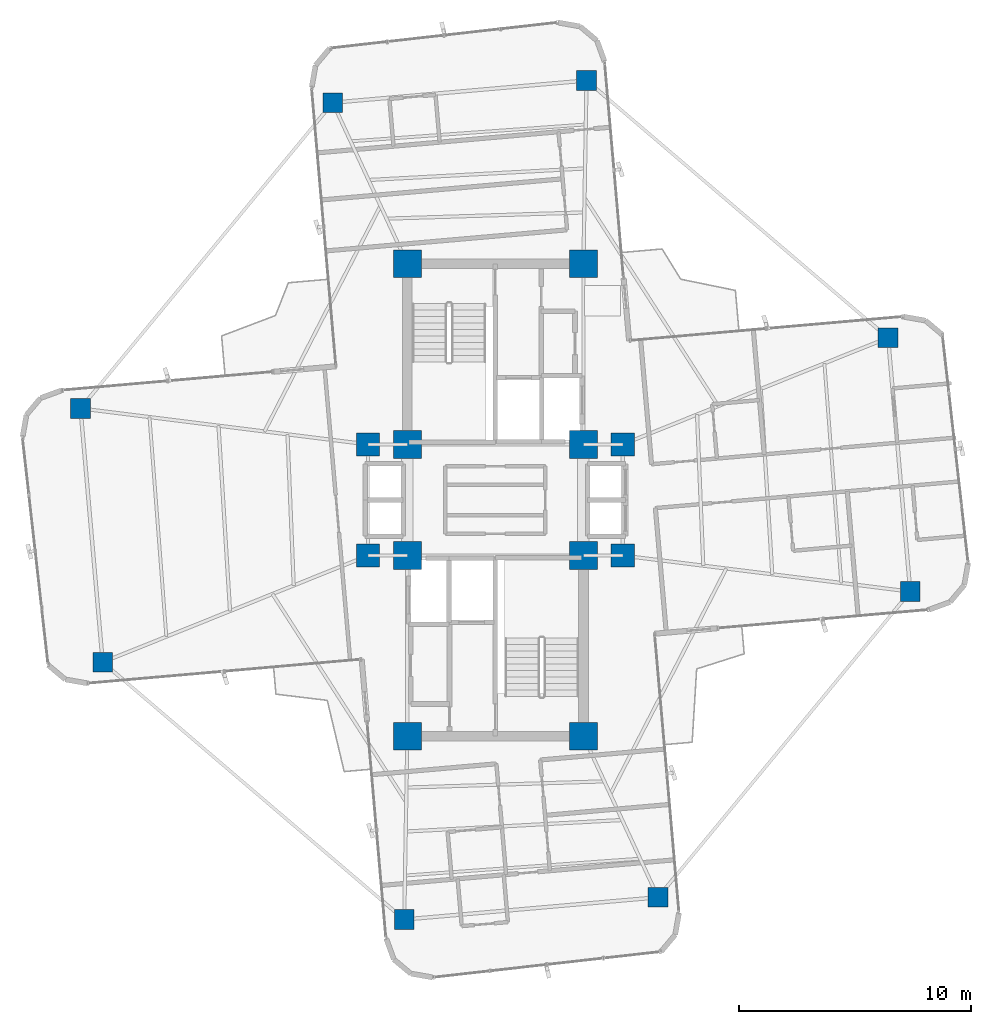
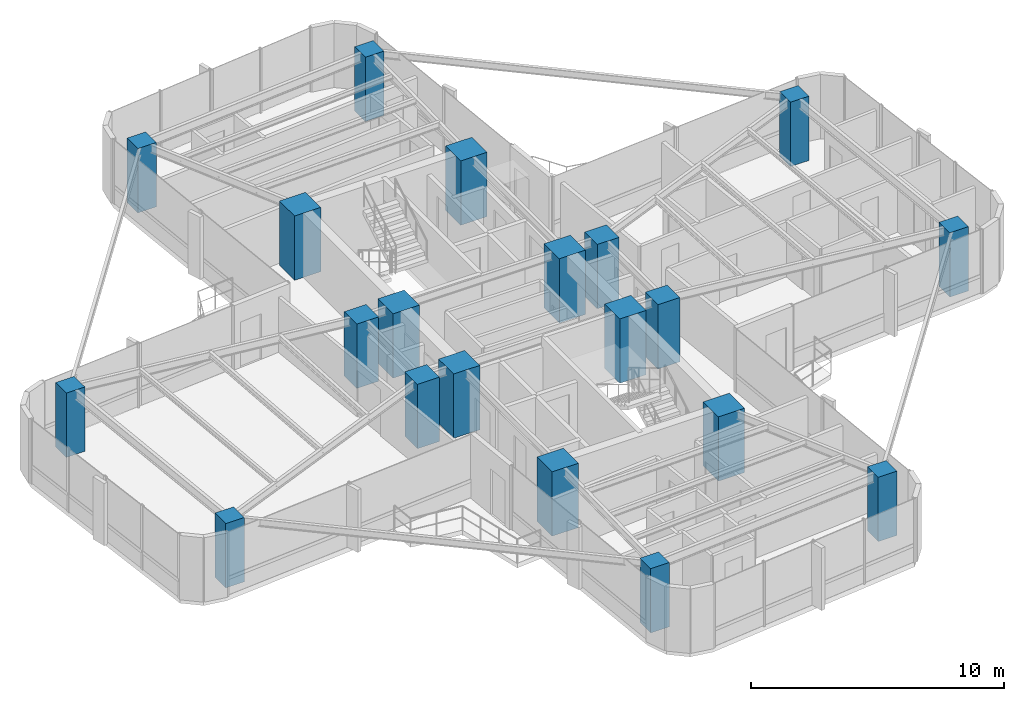
# One storey, part 1 of 24: 20 columns.
"""IFC4 building model written with IfcOpenShell, lengths in metres."""

from ifc_helpers import new_model, si_unit, direction, frame, origin, origin_2d, place, context, subcontext, project, spatial, rectangle, extrude, source, transform, mapped, material, material_profile, profile_set, type_object, element, save


model = new_model("IFC4")

# Units and contexts
model_context = context("Model", 3, precision=1e-05, world=origin(), true_north=direction((0.0, 1.0)))
body_context = subcontext(model_context, "Body", "Model", "MODEL_VIEW")
ifc_project = project(units=[si_unit("LENGTHUNIT", "METRE"), si_unit("AREAUNIT", "SQUARE_METRE"), si_unit("VOLUMEUNIT", "CUBIC_METRE"), si_unit("PLANEANGLEUNIT", "RADIAN"), si_unit("MASSUNIT", "GRAM", prefix="KILO")], contexts=[model_context])

# Site, building, storey
site_placement = place(None, origin())
site = spatial("IfcSite", under=ifc_project, at=site_placement, CompositionType="ELEMENT")
building_placement = place(site_placement, origin())
building = spatial("IfcBuilding", under=site, at=building_placement, Name="Sahyath Konkavel Grand Hotel", CompositionType="ELEMENT")
storey_placement = place(building_placement, frame((0.0, 0.0, 188.60009765625)))
storey = spatial("IfcBuildingStorey", under=building, at=storey_placement, Name="L52", CompositionType="ELEMENT", Elevation=188.60009765625)

# Columns
ifc_material_1 = material(Name="Concrete C50/60", Category="concrete")
ifc_material_profile_1 = material_profile(ifc_material_1, rectangle(XDim=1.199951171875, YDim=1.199951171875, at=origin_2d()), Name="RC 1200x1200")
ifc_profile_set_1 = profile_set([ifc_material_profile_1], Name="Concrete C50/60")
column_type_1 = type_object("IfcColumnType", Name="COL-RC1200", PredefinedType="COLUMN", material=ifc_profile_set_1)
shared_shape_1 = source(origin(), body_context, "Body", "SweptSolid", [
    extrude(rectangle(XDim=1.199951171875, YDim=1.199951171875, at=origin_2d()), origin(), (0.0, 0.0, 1.0), 3.10986328125),
])
for number, where, z_axis, x_axis, name in (
    (1, (-3.800048828125, 2.39990234375, 0.0), (0.0, 0.0, 1.0), (1.0, 0.0, 0.0), "L52 Core Boundary Column NC-SW"),
    (2, (3.800048828125, 2.39990234375, 0.0), (0.0, 0.0, 1.0), (1.0, 0.0, 0.0), "L52 Core Boundary Column NC-SE"),
    (3, (-3.800048828125, 10.199951171875, 0.0), (0.0, 0.0, 1.0), (1.0, 0.0, 0.0), "L52 Core Boundary Column NC-NW"),
    (4, (3.800048828125, 10.199951171875, 0.0), (0.0, 0.0, 1.0), (1.0, 0.0, 0.0), "L52 Core Boundary Column NC-NE"),
    (5, (-3.800048828125, -2.39990234375, 0.0), (0.0, 0.0, 1.0), (1.0, 0.0, 0.0), "L52 Core Boundary Column SC-NW"),
    (6, (3.800048828125, -2.39990234375, 0.0), (0.0, 0.0, 1.0), (1.0, 0.0, 0.0), "L52 Core Boundary Column SC-NE"),
    (7, (-3.800048828125, -10.199951171875, 0.0), (0.0, 0.0, 1.0), (1.0, 0.0, 0.0), "L52 Core Boundary Column SC-SW"),
    (8, (3.800048828125, -10.199951171875, 0.0), (0.0, 0.0, 1.0), (1.0, 0.0, 0.0), "L52 Core Boundary Column SC-SE"),
):
    element("IfcColumn", number, at=place(storey_placement, frame(where, z_axis=z_axis, x_axis=x_axis)), inside=storey, type_object=column_type_1, Name=name, PredefinedType="COLUMN", context=body_context, shape_type="MappedRepresentation", body=[
        mapped(shared_shape_1, transform((0.0, 0.0, 0.0), scale=1.0)),
    ])
ifc_material_profile_2 = material_profile(ifc_material_1, rectangle(XDim=1.0, YDim=1.0, at=origin_2d()), Name="RC 1000x1000")
ifc_profile_set_2 = profile_set([ifc_material_profile_2], Name="Concrete C50/60")
column_type_2 = type_object("IfcColumnType", Name="COL-RC1000", PredefinedType="COLUMN", material=ifc_profile_set_2)
shared_shape_2 = source(origin(), body_context, "Body", "SweptSolid", [
    extrude(rectangle(XDim=1.0, YDim=1.0, at=origin_2d()), origin(), (0.0, 0.0, 1.0), 3.10986328125),
])
for number, where, z_axis, x_axis, name in (
    (9, (5.5, 2.39990234375, 0.0), (0.0, 0.0, 1.0), (1.0, 0.0, 0.0), "L52 Central Spine Column HB-NE"),
    (10, (-5.5, 2.39990234375, 0.0), (0.0, 0.0, 1.0), (1.0, 0.0, 0.0), "L52 Central Spine Column HB-NW"),
    (11, (5.5, -2.39990234375, 0.0), (0.0, 0.0, 1.0), (1.0, 0.0, 0.0), "L52 Central Spine Column HB-SE"),
    (12, (-5.5, -2.39990234375, 0.0), (0.0, 0.0, 1.0), (1.0, 0.0, 0.0), "L52 Central Spine Column HB-SW"),
):
    element("IfcColumn", number, at=place(storey_placement, frame(where, z_axis=z_axis, x_axis=x_axis)), inside=storey, type_object=column_type_2, Name=name, PredefinedType="COLUMN", context=body_context, shape_type="MappedRepresentation", body=[
        mapped(shared_shape_2, transform((0.0, 0.0, 0.0), scale=1.0)),
    ])
ifc_material_2 = material(Name="Concrete C40/50", Category="concrete")
ifc_material_profile_3 = material_profile(ifc_material_2, rectangle(XDim=0.85009765625, YDim=0.85009765625, at=origin_2d()), Name="RC 850x850")
ifc_profile_set_3 = profile_set([ifc_material_profile_3], Name="Concrete C40/50")
column_type_3 = type_object("IfcColumnType", Name="COL-RC850", PredefinedType="COLUMN", material=ifc_profile_set_3)
shared_shape_3 = source(origin(), body_context, "Body", "SweptSolid", [
    extrude(rectangle(XDim=0.85009765625, YDim=0.85009765625, at=origin_2d()), origin(), (0.0, 0.0, 1.0), 3.10986328125),
])
for number, where, z_axis, x_axis, name in (
    (13, (17.912841796875, -3.953857421875, 0.0), (0.0, 0.0, 1.0), (1.0, 0.0, 0.0), "L52 Cruciform Wing Column WC-EA"),
    (14, (16.9541015625, 7.00439453125, 0.0), (0.0, 0.0, 1.0), (1.0, 0.0, 0.0), "L52 Cruciform Wing Column WC-EB"),
    (15, (3.936279296875, 18.112060546875, 0.0), (0.0, 0.0, 1.0), (1.0, 0.0, 0.0), "L52 Cruciform Wing Column WC-NA"),
    (16, (-7.021728515625, 17.1533203125, 0.0), (0.0, 0.0, 1.0), (1.0, 0.0, 0.0), "L52 Cruciform Wing Column WC-NB"),
    (17, (-17.912841796875, 3.953857421875, 0.0), (0.0, 0.0, 1.0), (1.0, 0.0, 0.0), "L52 Cruciform Wing Column WC-WA"),
    (18, (-16.9541015625, -7.00439453125, 0.0), (0.0, 0.0, 1.0), (1.0, 0.0, 0.0), "L52 Cruciform Wing Column WC-WB"),
    (19, (-3.936279296875, -18.112060546875, 0.0), (0.0, 0.0, 1.0), (1.0, 0.0, 0.0), "L52 Cruciform Wing Column WC-SA"),
    (20, (7.021728515625, -17.1533203125, 0.0), (0.0, 0.0, 1.0), (1.0, 0.0, 0.0), "L52 Cruciform Wing Column WC-SB"),
):
    element("IfcColumn", number, at=place(storey_placement, frame(where, z_axis=z_axis, x_axis=x_axis)), inside=storey, type_object=column_type_3, Name=name, PredefinedType="COLUMN", context=body_context, shape_type="MappedRepresentation", body=[
        mapped(shared_shape_3, transform((0.0, 0.0, 0.0), scale=1.0)),
    ])

save(model, "model.ifc")
